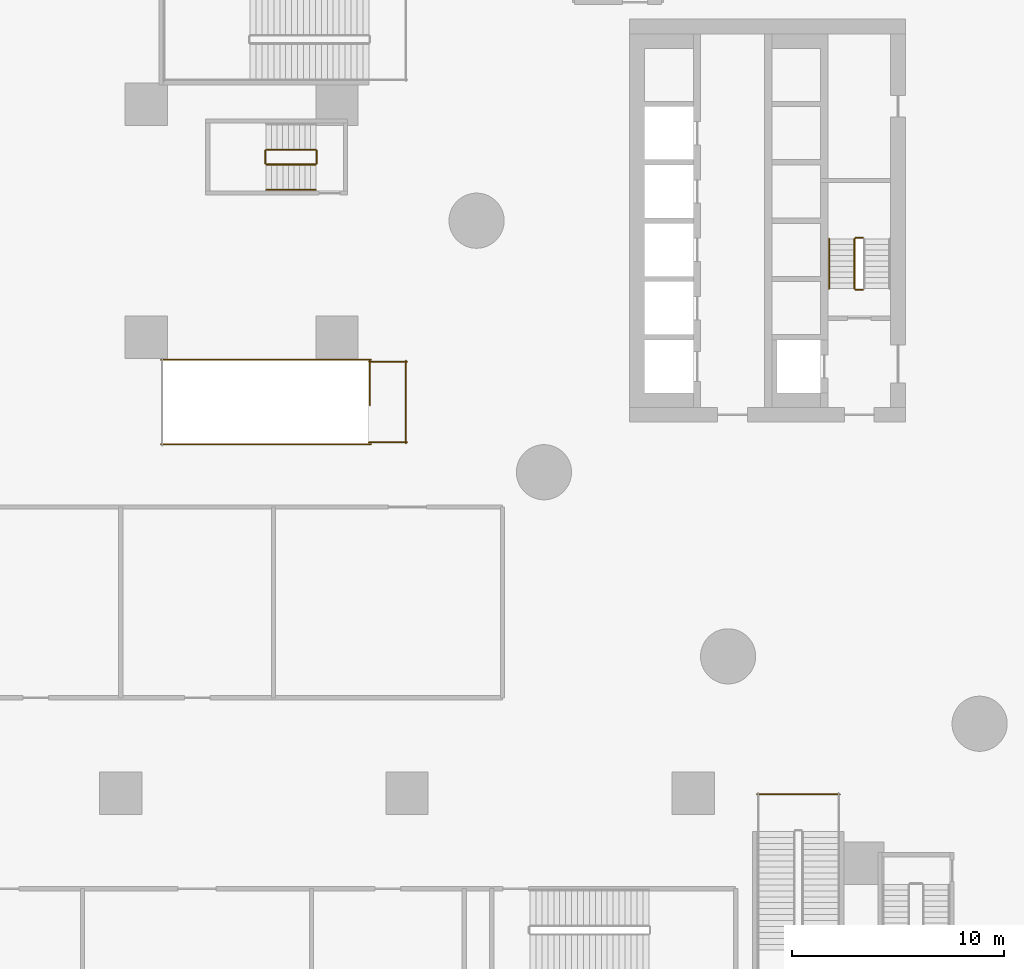
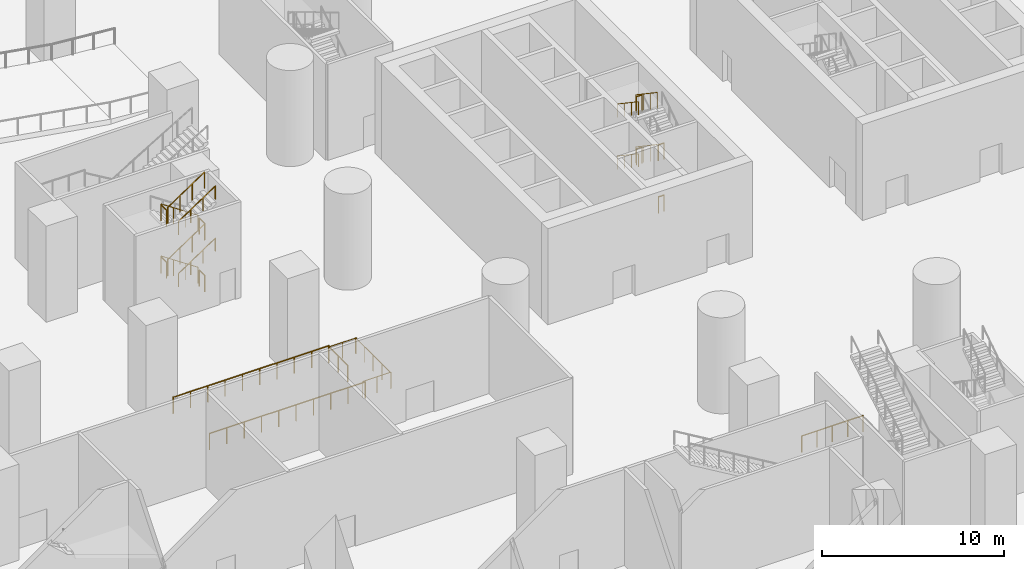
# One storey, part 23 of 37: 25 railings.
"""IFC4 building model written with IfcOpenShell, lengths in metres."""

from ifc_helpers import new_model, si_unit, direction, frame, origin, origin_2d, place, context, subcontext, project, spatial, circle, extrude, material, type_object, element, save


model = new_model("IFC4")

# Units and contexts
model_context = context("Model", 3, precision=1e-05, world=origin(), true_north=direction((0.0, 1.0)))
body_context = subcontext(model_context, "Body", "Model", "MODEL_VIEW")
ifc_project = project(units=[si_unit("LENGTHUNIT", "METRE"), si_unit("AREAUNIT", "SQUARE_METRE"), si_unit("VOLUMEUNIT", "CUBIC_METRE"), si_unit("PLANEANGLEUNIT", "RADIAN"), si_unit("MASSUNIT", "GRAM", prefix="KILO")], contexts=[model_context])

# Site, building, storey
site_placement = place(None, origin())
site = spatial("IfcSite", under=ifc_project, at=site_placement, CompositionType="ELEMENT")
building_placement = place(site_placement, origin())
building = spatial("IfcBuilding", under=site, at=building_placement, Name="Tamarind Cross Interchange Tower", CompositionType="ELEMENT")
storey_placement = place(building_placement, frame((0.0, 0.0, -7.0)))
storey = spatial("IfcBuildingStorey", under=building, at=storey_placement, Name="B1", CompositionType="ELEMENT", Elevation=-7.0)

# Railings
ifc_material_1 = material(Name="Public stair guard")
railing_type_1 = type_object("IfcRailingType", Name="Public stair guard", PredefinedType="GUARDRAIL", material=ifc_material_1)
railing_1_placement = place(storey_placement, frame((-10.5, -27.050048828125, 0.0)))
element("IfcRailing", 1, at=railing_1_placement, inside=storey, type_object=railing_type_1, Name="B1 PS-S stair guard 10", PredefinedType="GUARDRAIL", context=body_context, shape_type="SweptSolid", body=[
    extrude(circle(Radius=0.02392578125, at=origin_2d()), frame((0.0, 0.0, 1.076171875), z_axis=(1.0, 0.0, 0.0), x_axis=(0.0, 1.0, 0.0)), (0.0, 0.0, 1.0), 3.89990234375),
    extrude(circle(Radius=0.02099609375, at=origin_2d()), origin(), (0.0, 0.0, 1.0), 1.052001953125),
    extrude(circle(Radius=0.02099609375, at=origin_2d()), frame((0.97509765625, 0.0, 0.0)), (0.0, 0.0, 1.0), 1.052001953125),
    extrude(circle(Radius=0.02099609375, at=origin_2d()), frame((1.949951171875, 0.0, 0.0)), (0.0, 0.0, 1.0), 1.052001953125),
    extrude(circle(Radius=0.02099609375, at=origin_2d()), frame((2.9248046875, 0.0, 0.0)), (0.0, 0.0, 1.0), 1.052001953125),
    extrude(circle(Radius=0.02099609375, at=origin_2d()), frame((3.89990234375, 0.0, 0.0)), (0.0, 0.0, 1.0), 1.052001953125),
])
railing_2_placement = place(storey_placement, frame((-28.75, -6.60009765625, 0.0)))
element("IfcRailing", 2, at=railing_2_placement, inside=storey, type_object=railing_type_1, Name="B1 MS-W top well guard 1", PredefinedType="GUARDRAIL", context=body_context, shape_type="SweptSolid", body=[
    extrude(circle(Radius=0.02392578125, at=origin_2d()), frame((0.0, 0.0, 1.076171875), z_axis=(0.0, -1.0, 0.0), x_axis=(1.0, 0.0, 0.0)), (0.0, 0.0, 1.0), 2.099853515625),
    extrude(circle(Radius=0.02099609375, at=origin_2d()), origin(), (0.0, 0.0, 1.0), 1.052001953125),
    extrude(circle(Radius=0.02099609375, at=origin_2d()), frame((0.0, -1.0498046875, 0.0)), (0.0, 0.0, 1.0), 1.052001953125),
    extrude(circle(Radius=0.02099609375, at=origin_2d()), frame((0.0, -2.099853515625, 0.0)), (0.0, 0.0, 1.0), 1.052001953125),
])
for number, where, name in (
    (3, (-28.699951171875, -6.550048828125, 0.0), "B1 MS-W top well guard 2"),
    (4, (-28.699951171875, -10.550048828125, 0.0), "B1 MS-W top well guard 3"),
):
    element("IfcRailing", number, at=place(storey_placement, frame(where)), inside=storey, type_object=railing_type_1, Name=name, PredefinedType="GUARDRAIL", context=body_context, shape_type="SweptSolid", body=[
        extrude(circle(Radius=0.02392578125, at=origin_2d()), frame((0.0, 0.0, 1.076171875), z_axis=(-1.0, 0.0, 0.0), x_axis=(0.0, -1.0, 0.0)), (0.0, 0.0, 1.0), 9.900146484375),
        extrude(circle(Radius=0.02099609375, at=origin_2d()), origin(), (0.0, 0.0, 1.0), 1.052001953125),
        extrude(circle(Radius=0.02099609375, at=origin_2d()), frame((-1.10009765625, 0.0, 0.0)), (0.0, 0.0, 1.0), 1.052001953125),
        extrude(circle(Radius=0.02099609375, at=origin_2d()), frame((-2.199951171875, 0.0, 0.0)), (0.0, 0.0, 1.0), 1.052001953125),
        extrude(circle(Radius=0.02099609375, at=origin_2d()), frame((-3.300048828125, 0.0, 0.0)), (0.0, 0.0, 1.0), 1.052001953125),
        extrude(circle(Radius=0.02099609375, at=origin_2d()), frame((-4.400146484375, 0.0, 0.0)), (0.0, 0.0, 1.0), 1.052001953125),
        extrude(circle(Radius=0.02099609375, at=origin_2d()), frame((-5.5, 0.0, 0.0)), (0.0, 0.0, 1.0), 1.052001953125),
        extrude(circle(Radius=0.02099609375, at=origin_2d()), frame((-6.60009765625, 0.0, 0.0)), (0.0, 0.0, 1.0), 1.052001953125),
        extrude(circle(Radius=0.02099609375, at=origin_2d()), frame((-7.7001953125, 0.0, 0.0)), (0.0, 0.0, 1.0), 1.052001953125),
        extrude(circle(Radius=0.02099609375, at=origin_2d()), frame((-8.800048828125, 0.0, 0.0)), (0.0, 0.0, 1.0), 1.052001953125),
        extrude(circle(Radius=0.02099609375, at=origin_2d()), frame((-9.900146484375, 0.0, 0.0)), (0.0, 0.0, 1.0), 1.052001953125),
    ])
for number, where, name in (
    (5, (-27.0, -6.64990234375, 0.0), "B1 MS-W top well guard 5"),
    (6, (-27.0, -10.449951171875, 0.0), "B1 MS-W top well guard 6"),
):
    element("IfcRailing", number, at=place(storey_placement, frame(where)), inside=storey, type_object=railing_type_1, Name=name, PredefinedType="GUARDRAIL", context=body_context, shape_type="SweptSolid", body=[
        extrude(circle(Radius=0.02392578125, at=origin_2d()), frame((0.0, 0.0, 1.076171875), z_axis=(-1.0, 0.0, 0.0), x_axis=(0.0, -1.0, 0.0)), (0.0, 0.0, 1.0), 1.800048828125),
        extrude(circle(Radius=0.02099609375, at=origin_2d()), origin(), (0.0, 0.0, 1.0), 1.052001953125),
        extrude(circle(Radius=0.02099609375, at=origin_2d()), frame((-0.89990234375, 0.0, 0.0)), (0.0, 0.0, 1.0), 1.052001953125),
        extrude(circle(Radius=0.02099609375, at=origin_2d()), frame((-1.800048828125, 0.0, 0.0)), (0.0, 0.0, 1.0), 1.052001953125),
    ])
railing_3_placement = place(storey_placement, frame((-27.050048828125, -6.60009765625, 0.0)))
element("IfcRailing", 7, at=railing_3_placement, inside=storey, type_object=railing_type_1, Name="B1 MS-W top well guard 7", PredefinedType="GUARDRAIL", context=body_context, shape_type="SweptSolid", body=[
    extrude(circle(Radius=0.02392578125, at=origin_2d()), frame((0.0, 0.0, 1.076171875), z_axis=(0.0, -1.0, 0.0), x_axis=(1.0, 0.0, 0.0)), (0.0, 0.0, 1.0), 3.89990234375),
    extrude(circle(Radius=0.02099609375, at=origin_2d()), origin(), (0.0, 0.0, 1.0), 1.052001953125),
    extrude(circle(Radius=0.02099609375, at=origin_2d()), frame((0.0, -0.97509765625, 0.0)), (0.0, 0.0, 1.0), 1.052001953125),
    extrude(circle(Radius=0.02099609375, at=origin_2d()), frame((0.0, -1.949951171875, 0.0)), (0.0, 0.0, 1.0), 1.052001953125),
    extrude(circle(Radius=0.02099609375, at=origin_2d()), frame((0.0, -2.9248046875, 0.0)), (0.0, 0.0, 1.0), 1.052001953125),
    extrude(circle(Radius=0.02099609375, at=origin_2d()), frame((0.0, -3.89990234375, 0.0)), (0.0, 0.0, 1.0), 1.052001953125),
])
ifc_material_2 = material(Name="Stair guard")
railing_type_2 = type_object("IfcRailingType", Name="Stair guard", PredefinedType="GUARDRAIL", material=ifc_material_2)
railing_4_placement = place(storey_placement, frame((-5.5, -0.81005859375, 1.75)))
element("IfcRailing", 8, at=railing_4_placement, inside=storey, type_object=railing_type_2, Name="B1 ST1 stair guard 2", PredefinedType="GUARDRAIL", context=body_context, shape_type="SweptSolid", body=[
    extrude(circle(Radius=0.02392578125, at=origin_2d()), frame((0.0, 0.0, 1.076171875), z_axis=(-1.0, 0.0, 0.0), x_axis=(0.0, -1.0, 0.0)), (0.0, 0.0, 1.0), 0.35009765625),
    extrude(circle(Radius=0.02099609375, at=origin_2d()), origin(), (0.0, 0.0, 1.0), 1.052001953125),
    extrude(circle(Radius=0.02099609375, at=origin_2d()), frame((-0.35009765625, 0.0, 0.0)), (0.0, 0.0, 1.0), 1.052001953125),
])
railing_5_placement = place(storey_placement, frame((-5.89990234375, -0.860107421875, 1.925048828125)))
element("IfcRailing", 9, at=railing_5_placement, inside=storey, type_object=railing_type_2, Name="B1 ST1 stair guard 3", PredefinedType="GUARDRAIL", context=body_context, shape_type="SweptSolid", body=[
    extrude(circle(Radius=0.02392578125, at=origin_2d()), frame((0.0, 0.0, 1.076171875), z_axis=(0.0, -0.829578494604, 0.558390115681), x_axis=(1.0, 0.0, 0.0)), (0.0, 0.0, 1.0), 2.820556640625),
    extrude(circle(Radius=0.02099609375, at=origin_2d()), origin(), (0.0, 0.0, 1.0), 1.052001953125),
    extrude(circle(Radius=0.02099609375, at=origin_2d()), frame((0.0, -0.780029296875, 0.52490234375)), (0.0, 0.0, 1.0), 1.052001953125),
    extrude(circle(Radius=0.02099609375, at=origin_2d()), frame((0.0, -1.559814453125, 1.050048828125)), (0.0, 0.0, 1.0), 1.052001953125),
    extrude(circle(Radius=0.02099609375, at=origin_2d()), frame((0.0, -2.33984375, 1.574951171875)), (0.0, 0.0, 1.0), 1.052001953125),
])
for number, where, name in (
    (10, (-5.5, -3.25, 3.5), "B1 ST1 stair guard 4"),
    (11, (-5.5, -0.81005859375, 5.25), "B1 ST1 stair guard 6"),
):
    element("IfcRailing", number, at=place(storey_placement, frame(where)), inside=storey, type_object=railing_type_2, Name=name, PredefinedType="GUARDRAIL", context=body_context, shape_type="SweptSolid", body=[
        extrude(circle(Radius=0.02392578125, at=origin_2d()), frame((0.0, 0.0, 1.076171875), z_axis=(-1.0, 0.0, 0.0), x_axis=(0.0, -1.0, 0.0)), (0.0, 0.0, 1.0), 0.35009765625),
        extrude(circle(Radius=0.02099609375, at=origin_2d()), origin(), (0.0, 0.0, 1.0), 1.052001953125),
        extrude(circle(Radius=0.02099609375, at=origin_2d()), frame((-0.35009765625, 0.0, 0.0)), (0.0, 0.0, 1.0), 1.052001953125),
    ])
railing_6_placement = place(storey_placement, frame((-5.89990234375, -0.860107421875, 5.425048828125)))
element("IfcRailing", 12, at=railing_6_placement, inside=storey, type_object=railing_type_2, Name="B1 ST1 stair guard 7", PredefinedType="GUARDRAIL", context=body_context, shape_type="SweptSolid", body=[
    extrude(circle(Radius=0.02392578125, at=origin_2d()), frame((0.0, 0.0, 1.076171875), z_axis=(0.0, -0.829578494604, 0.558390115681), x_axis=(1.0, 0.0, 0.0)), (0.0, 0.0, 1.0), 2.820556640625),
    extrude(circle(Radius=0.02099609375, at=origin_2d()), origin(), (0.0, 0.0, 1.0), 1.052001953125),
    extrude(circle(Radius=0.02099609375, at=origin_2d()), frame((0.0, -0.780029296875, 0.52490234375)), (0.0, 0.0, 1.0), 1.052001953125),
    extrude(circle(Radius=0.02099609375, at=origin_2d()), frame((0.0, -1.559814453125, 1.050048828125)), (0.0, 0.0, 1.0), 1.052001953125),
    extrude(circle(Radius=0.02099609375, at=origin_2d()), frame((0.0, -2.33984375, 1.574951171875)), (0.0, 0.0, 1.0), 1.052001953125),
])
railing_7_placement = place(storey_placement, frame((-5.5, -3.25, 0.0)))
element("IfcRailing", 13, at=railing_7_placement, inside=storey, type_object=railing_type_2, Name="B1 ST1 stair guard 8", PredefinedType="GUARDRAIL", context=body_context, shape_type="SweptSolid", body=[
    extrude(circle(Radius=0.02392578125, at=origin_2d()), frame((0.0, 0.0, 1.076171875), z_axis=(-1.0, 0.0, 0.0), x_axis=(0.0, -1.0, 0.0)), (0.0, 0.0, 1.0), 0.35009765625),
    extrude(circle(Radius=0.02099609375, at=origin_2d()), origin(), (0.0, 0.0, 1.0), 1.052001953125),
    extrude(circle(Radius=0.02099609375, at=origin_2d()), frame((-0.35009765625, 0.0, 0.0)), (0.0, 0.0, 1.0), 1.052001953125),
])
railing_8_placement = place(storey_placement, frame((-31.300048828125, 3.35009765625, 0.175048828125)))
element("IfcRailing", 14, at=railing_8_placement, inside=storey, type_object=railing_type_2, Name="B1 ST5 stair guard 1", PredefinedType="GUARDRAIL", context=body_context, shape_type="SweptSolid", body=[
    extrude(circle(Radius=0.02392578125, at=origin_2d()), frame((0.0, 0.0, 1.076171875), z_axis=(-0.829578494604, 0.0, 0.558390115681), x_axis=(0.0, -1.0, 0.0)), (0.0, 0.0, 1.0), 2.820556640625),
    extrude(circle(Radius=0.02099609375, at=origin_2d()), origin(), (0.0, 0.0, 1.0), 1.052001953125),
    extrude(circle(Radius=0.02099609375, at=origin_2d()), frame((-0.780029296875, 0.0, 0.52490234375)), (0.0, 0.0, 1.0), 1.052001953125),
    extrude(circle(Radius=0.02099609375, at=origin_2d()), frame((-1.559814453125, 0.0, 1.050048828125)), (0.0, 0.0, 1.0), 1.052001953125),
    extrude(circle(Radius=0.02099609375, at=origin_2d()), frame((-2.33984375, 0.0, 1.574951171875)), (0.0, 0.0, 1.0), 1.052001953125),
])
railing_9_placement = place(storey_placement, frame((-33.68994140625, 3.300048828125, 1.75)))
element("IfcRailing", 15, at=railing_9_placement, inside=storey, type_object=railing_type_2, Name="B1 ST5 stair guard 2", PredefinedType="GUARDRAIL", context=body_context, shape_type="SweptSolid", body=[
    extrude(circle(Radius=0.02392578125, at=origin_2d()), frame((0.0, 0.0, 1.076171875), z_axis=(0.0, -1.0, 0.0), x_axis=(1.0, 0.0, 0.0)), (0.0, 0.0, 1.0), 0.60009765625),
    extrude(circle(Radius=0.02099609375, at=origin_2d()), origin(), (0.0, 0.0, 1.0), 1.052001953125),
    extrude(circle(Radius=0.02099609375, at=origin_2d()), frame((0.0, -0.60009765625, 0.0)), (0.0, 0.0, 1.0), 1.052001953125),
])
railing_10_placement = place(storey_placement, frame((-33.639892578125, 2.64990234375, 1.925048828125)))
element("IfcRailing", 16, at=railing_10_placement, inside=storey, type_object=railing_type_2, Name="B1 ST5 stair guard 3", PredefinedType="GUARDRAIL", context=body_context, shape_type="SweptSolid", body=[
    extrude(circle(Radius=0.02392578125, at=origin_2d()), frame((0.0, 0.0, 1.076171875), z_axis=(0.829578494604, 0.0, 0.558390115681), x_axis=(0.0, 1.0, 0.0)), (0.0, 0.0, 1.0), 2.820556640625),
    extrude(circle(Radius=0.02099609375, at=origin_2d()), origin(), (0.0, 0.0, 1.0), 1.052001953125),
    extrude(circle(Radius=0.02099609375, at=origin_2d()), frame((0.780029296875, 0.0, 0.52490234375)), (0.0, 0.0, 1.0), 1.052001953125),
    extrude(circle(Radius=0.02099609375, at=origin_2d()), frame((1.559814453125, 0.0, 1.050048828125)), (0.0, 0.0, 1.0), 1.052001953125),
    extrude(circle(Radius=0.02099609375, at=origin_2d()), frame((2.33984375, 0.0, 1.574951171875)), (0.0, 0.0, 1.0), 1.052001953125),
])
railing_11_placement = place(storey_placement, frame((-31.25, 3.300048828125, 3.5)))
element("IfcRailing", 17, at=railing_11_placement, inside=storey, type_object=railing_type_2, Name="B1 ST5 stair guard 4", PredefinedType="GUARDRAIL", context=body_context, shape_type="SweptSolid", body=[
    extrude(circle(Radius=0.02392578125, at=origin_2d()), frame((0.0, 0.0, 1.076171875), z_axis=(0.0, -1.0, 0.0), x_axis=(1.0, 0.0, 0.0)), (0.0, 0.0, 1.0), 0.60009765625),
    extrude(circle(Radius=0.02099609375, at=origin_2d()), origin(), (0.0, 0.0, 1.0), 1.052001953125),
    extrude(circle(Radius=0.02099609375, at=origin_2d()), frame((0.0, -0.60009765625, 0.0)), (0.0, 0.0, 1.0), 1.052001953125),
])
railing_12_placement = place(storey_placement, frame((-31.300048828125, 3.35009765625, 3.675048828125)))
element("IfcRailing", 18, at=railing_12_placement, inside=storey, type_object=railing_type_2, Name="B1 ST5 stair guard 5", PredefinedType="GUARDRAIL", context=body_context, shape_type="SweptSolid", body=[
    extrude(circle(Radius=0.02392578125, at=origin_2d()), frame((0.0, 0.0, 1.076171875), z_axis=(-0.829578494604, 0.0, 0.558390115681), x_axis=(0.0, -1.0, 0.0)), (0.0, 0.0, 1.0), 2.820556640625),
    extrude(circle(Radius=0.02099609375, at=origin_2d()), origin(), (0.0, 0.0, 1.0), 1.052001953125),
    extrude(circle(Radius=0.02099609375, at=origin_2d()), frame((-0.780029296875, 0.0, 0.52490234375)), (0.0, 0.0, 1.0), 1.052001953125),
    extrude(circle(Radius=0.02099609375, at=origin_2d()), frame((-1.559814453125, 0.0, 1.050048828125)), (0.0, 0.0, 1.0), 1.052001953125),
    extrude(circle(Radius=0.02099609375, at=origin_2d()), frame((-2.33984375, 0.0, 1.574951171875)), (0.0, 0.0, 1.0), 1.052001953125),
])
railing_13_placement = place(storey_placement, frame((-33.68994140625, 3.300048828125, 5.25)))
element("IfcRailing", 19, at=railing_13_placement, inside=storey, type_object=railing_type_2, Name="B1 ST5 stair guard 6", PredefinedType="GUARDRAIL", context=body_context, shape_type="SweptSolid", body=[
    extrude(circle(Radius=0.02392578125, at=origin_2d()), frame((0.0, 0.0, 1.076171875), z_axis=(0.0, -1.0, 0.0), x_axis=(1.0, 0.0, 0.0)), (0.0, 0.0, 1.0), 0.60009765625),
    extrude(circle(Radius=0.02099609375, at=origin_2d()), origin(), (0.0, 0.0, 1.0), 1.052001953125),
    extrude(circle(Radius=0.02099609375, at=origin_2d()), frame((0.0, -0.60009765625, 0.0)), (0.0, 0.0, 1.0), 1.052001953125),
])
railing_14_placement = place(storey_placement, frame((-33.639892578125, 2.64990234375, 5.425048828125)))
element("IfcRailing", 20, at=railing_14_placement, inside=storey, type_object=railing_type_2, Name="B1 ST5 stair guard 7", PredefinedType="GUARDRAIL", context=body_context, shape_type="SweptSolid", body=[
    extrude(circle(Radius=0.02392578125, at=origin_2d()), frame((0.0, 0.0, 1.076171875), z_axis=(0.829578494604, 0.0, 0.558390115681), x_axis=(0.0, 1.0, 0.0)), (0.0, 0.0, 1.0), 2.820556640625),
    extrude(circle(Radius=0.02099609375, at=origin_2d()), origin(), (0.0, 0.0, 1.0), 1.052001953125),
    extrude(circle(Radius=0.02099609375, at=origin_2d()), frame((0.780029296875, 0.0, 0.52490234375)), (0.0, 0.0, 1.0), 1.052001953125),
    extrude(circle(Radius=0.02099609375, at=origin_2d()), frame((1.559814453125, 0.0, 1.050048828125)), (0.0, 0.0, 1.0), 1.052001953125),
    extrude(circle(Radius=0.02099609375, at=origin_2d()), frame((2.33984375, 0.0, 1.574951171875)), (0.0, 0.0, 1.0), 1.052001953125),
])
railing_15_placement = place(storey_placement, frame((-31.25, 3.300048828125, 0.0)))
element("IfcRailing", 21, at=railing_15_placement, inside=storey, type_object=railing_type_2, Name="B1 ST5 stair guard 8", PredefinedType="GUARDRAIL", context=body_context, shape_type="SweptSolid", body=[
    extrude(circle(Radius=0.02392578125, at=origin_2d()), frame((0.0, 0.0, 1.076171875), z_axis=(0.0, -1.0, 0.0), x_axis=(1.0, 0.0, 0.0)), (0.0, 0.0, 1.0), 0.60009765625),
    extrude(circle(Radius=0.02099609375, at=origin_2d()), origin(), (0.0, 0.0, 1.0), 1.052001953125),
    extrude(circle(Radius=0.02099609375, at=origin_2d()), frame((0.0, -0.60009765625, 0.0)), (0.0, 0.0, 1.0), 1.052001953125),
])
ifc_material_3 = material(Name="Stair handrail")
railing_type_3 = type_object("IfcRailingType", Name="Stair handrail", PredefinedType="HANDRAIL", material=ifc_material_3)
for number, where, name in (
    (22, (-7.10009765625, -0.860107421875, 1.925048828125), "B1 ST1 stair handrail 2"),
    (23, (-7.10009765625, -0.860107421875, 5.425048828125), "B1 ST1 stair handrail 4"),
):
    element("IfcRailing", number, at=place(storey_placement, frame(where)), inside=storey, type_object=railing_type_3, Name=name, PredefinedType="HANDRAIL", context=body_context, shape_type="SweptSolid", body=[
        extrude(circle(Radius=0.02392578125, at=origin_2d()), frame((0.0, 0.0, 0.8759765625), z_axis=(0.0, -0.829578494604, 0.558390115681), x_axis=(1.0, 0.0, 0.0)), (0.0, 0.0, 1.0), 2.820556640625),
        extrude(circle(Radius=0.02099609375, at=origin_2d()), origin(), (0.0, 0.0, 1.0), 0.851806640625),
        extrude(circle(Radius=0.02099609375, at=origin_2d()), frame((0.0, -0.780029296875, 0.52490234375)), (0.0, 0.0, 1.0), 0.851806640625),
        extrude(circle(Radius=0.02099609375, at=origin_2d()), frame((0.0, -1.559814453125, 1.050048828125)), (0.0, 0.0, 1.0), 0.851806640625),
        extrude(circle(Radius=0.02099609375, at=origin_2d()), frame((0.0, -2.33984375, 1.574951171875)), (0.0, 0.0, 1.0), 0.851806640625),
    ])
for number, where, name in (
    (24, (-33.639892578125, 1.449951171875, 1.925048828125), "B1 ST5 stair handrail 2"),
    (25, (-33.639892578125, 1.449951171875, 5.425048828125), "B1 ST5 stair handrail 4"),
):
    element("IfcRailing", number, at=place(storey_placement, frame(where)), inside=storey, type_object=railing_type_3, Name=name, PredefinedType="HANDRAIL", context=body_context, shape_type="SweptSolid", body=[
        extrude(circle(Radius=0.02392578125, at=origin_2d()), frame((0.0, 0.0, 0.8759765625), z_axis=(0.829578494604, 0.0, 0.558390115681), x_axis=(0.0, 1.0, 0.0)), (0.0, 0.0, 1.0), 2.820556640625),
        extrude(circle(Radius=0.02099609375, at=origin_2d()), origin(), (0.0, 0.0, 1.0), 0.851806640625),
        extrude(circle(Radius=0.02099609375, at=origin_2d()), frame((0.780029296875, 0.0, 0.52490234375)), (0.0, 0.0, 1.0), 0.851806640625),
        extrude(circle(Radius=0.02099609375, at=origin_2d()), frame((1.559814453125, 0.0, 1.050048828125)), (0.0, 0.0, 1.0), 0.851806640625),
        extrude(circle(Radius=0.02099609375, at=origin_2d()), frame((2.33984375, 0.0, 1.574951171875)), (0.0, 0.0, 1.0), 0.851806640625),
    ])

save(model, "model.ifc")
